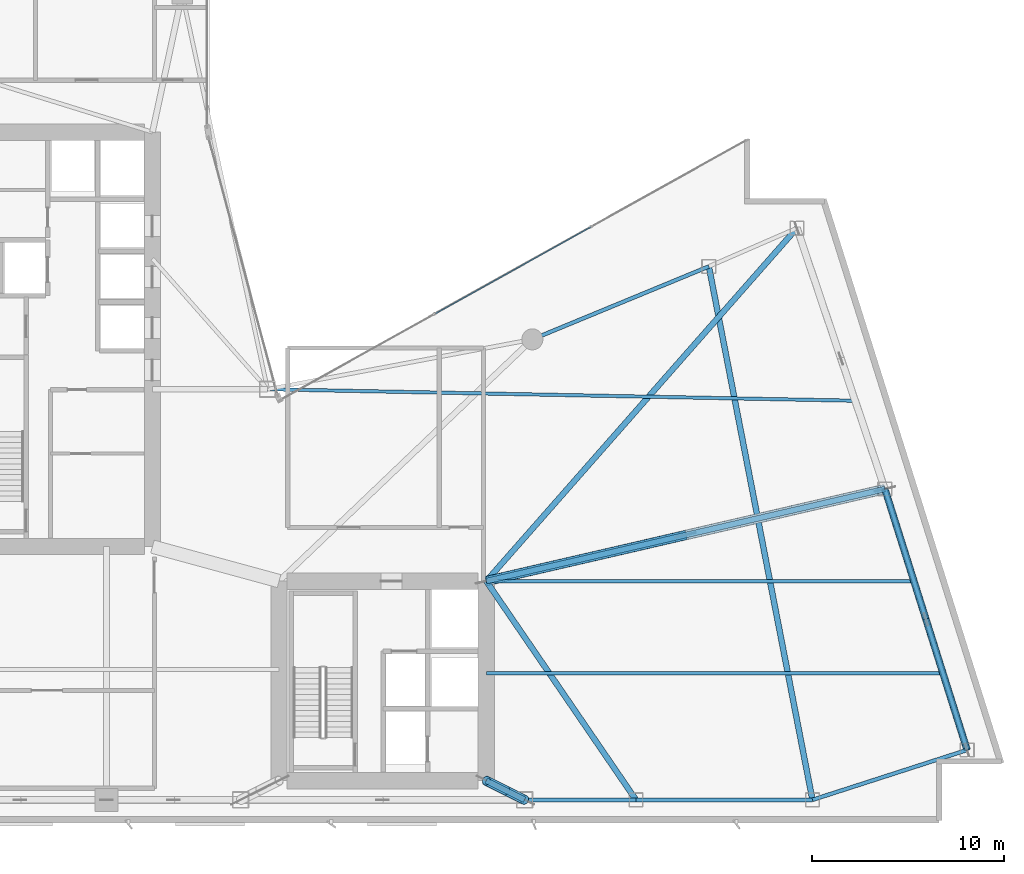
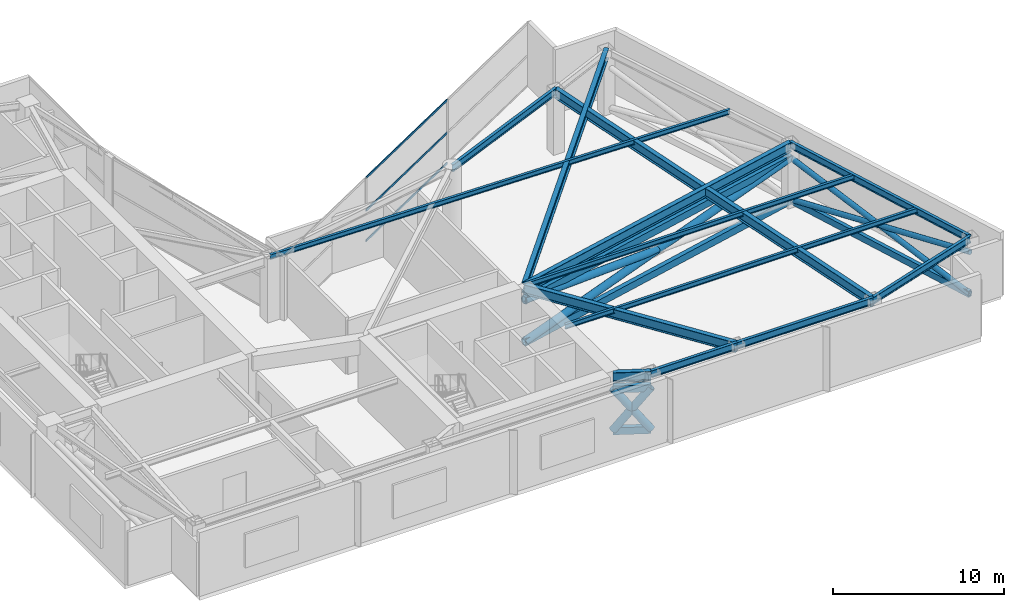
# One storey, part 5 of 19: 16 members, 13 beams, 1 element without a shape of its own.
"""IFC4 building model written with IfcOpenShell, lengths in metres."""

from ifc_helpers import new_model, si_unit, direction, frame, origin, origin_2d, place, context, subcontext, project, spatial, hollow_rectangle, hollow_circle, i_section, extrude, material, layer, layer_set, material_profile, profile_set, type_object, element, aggregate, save


model = new_model("IFC4")

# Units and contexts
model_context = context("Model", 3, precision=1e-05, world=origin(), true_north=direction((0.0, 1.0)))
body_context = subcontext(model_context, "Body", "Model", "MODEL_VIEW")
ifc_project = project(units=[si_unit("LENGTHUNIT", "METRE"), si_unit("AREAUNIT", "SQUARE_METRE"), si_unit("VOLUMEUNIT", "CUBIC_METRE"), si_unit("PLANEANGLEUNIT", "RADIAN"), si_unit("MASSUNIT", "GRAM", prefix="KILO")], contexts=[model_context])

# Site, building, storey
site_placement = place(None, origin())
site = spatial("IfcSite", under=ifc_project, at=site_placement, CompositionType="ELEMENT")
building_placement = place(site_placement, origin())
building = spatial("IfcBuilding", under=site, at=building_placement, Name="Calvorn Quay Hotel", CompositionType="ELEMENT")
storey_placement = place(building_placement, frame((0.0, 0.0, 139.199951171875)))
storey = spatial("IfcBuildingStorey", under=building, at=storey_placement, Name="L34", CompositionType="ELEMENT", Elevation=139.199951171875)

# Beams
ifc_material_1 = material(Name="Steel Q390GJC", Category="steel")
ifc_material_profile_1 = material_profile(ifc_material_1, i_section(OverallWidth=0.300048828125, OverallDepth=0.699951171875, WebThickness=0.012939453125, FlangeThickness=0.02392578125, FilletRadius=0.02392578125, at=origin_2d()), Name="HN700x300x13x24")
ifc_profile_set_1 = profile_set([ifc_material_profile_1], Name="Steel Q390GJC")
beam_type_1 = type_object("IfcBeamType", Name="BM-GIRD-MAIN", PredefinedType="BEAM", material=ifc_profile_set_1)
beam_1_placement = place(storey_placement, frame((34.39990234375, 3.60009765625, 4.18994140625), z_axis=(-0.894427191, 0.4472135955, 0.0), x_axis=(-0.4472135955, -0.894427191, 0.0)))
element("IfcBeam", 1, at=beam_1_placement, inside=storey, type_object=beam_type_1, Name="Beam BG-L34-S3", PredefinedType="BEAM", context=body_context, shape_type="SweptSolid", body=[
    extrude(i_section(OverallWidth=0.300048828125, OverallDepth=0.699951171875, WebThickness=0.012939453125, FlangeThickness=0.02392578125, FilletRadius=0.02392578125, at=origin_2d()), origin(), (0.0, 0.0, 1.0), 2.236083984375),
])
beam_2_placement = place(storey_placement, frame((32.39990234375, 15.0, 4.18994140625), z_axis=(0.974334045812, 0.225107012711, 0.0), x_axis=(-0.225107012711, 0.974334045812, 0.0)))
element("IfcBeam", 2, at=beam_2_placement, inside=storey, type_object=beam_type_1, Name="Beam BG-L34-E2", PredefinedType="BEAM", context=body_context, shape_type="SweptSolid", body=[
    extrude(i_section(OverallWidth=0.300048828125, OverallDepth=0.699951171875, WebThickness=0.012939453125, FlangeThickness=0.02392578125, FilletRadius=0.02392578125, at=origin_2d()), origin(), (0.0, 0.0, 1.0), 21.323486328125),
])
beam_3_placement = place(storey_placement, frame((32.39990234375, 15.0, 4.18994140625), z_axis=(0.660610604248, 0.750728732336, 0.0), x_axis=(-0.750728732336, 0.660610604248, 0.0)))
element("IfcBeam", 3, at=beam_3_placement, inside=storey, type_object=beam_type_1, Name="Beam BG-L34-E3", PredefinedType="BEAM", context=body_context, shape_type="SweptSolid", body=[
    extrude(i_section(OverallWidth=0.300048828125, OverallDepth=0.699951171875, WebThickness=0.012939453125, FlangeThickness=0.02392578125, FilletRadius=0.02392578125, at=origin_2d()), origin(), (0.0, 0.0, 1.0), 24.50927734375),
])
beam_4_placement = place(storey_placement, frame((49.39990234375, 3.60009765625, 4.18994140625), z_axis=(-0.190678596862, 0.981652521363, 0.0), x_axis=(-0.981652521363, -0.190678596862, 0.0)))
element("IfcBeam", 4, at=beam_4_placement, inside=storey, type_object=beam_type_1, Name="Beam BG-L34-E5", PredefinedType="BEAM", context=body_context, shape_type="SweptSolid", body=[
    extrude(i_section(OverallWidth=0.300048828125, OverallDepth=0.699951171875, WebThickness=0.012939453125, FlangeThickness=0.02392578125, FilletRadius=0.02392578125, at=origin_2d()), origin(), (0.0, 0.0, 1.0), 28.3193359375),
])
beam_5_placement = place(storey_placement, frame((40.199951171875, 3.60009765625, 4.18994140625), z_axis=(-0.564689618177, 0.825303359452, 0.0), x_axis=(-0.825303359452, -0.564689618177, 0.0)))
element("IfcBeam", 5, at=beam_5_placement, inside=storey, type_object=beam_type_1, Name="Beam BG-L34-E6", PredefinedType="BEAM", context=body_context, shape_type="SweptSolid", body=[
    extrude(i_section(OverallWidth=0.300048828125, OverallDepth=0.699951171875, WebThickness=0.012939453125, FlangeThickness=0.02392578125, FilletRadius=0.02392578125, at=origin_2d()), origin(), (0.0, 0.0, 1.0), 13.81298828125),
])
ifc_material_2 = material(Name="Steel Q355B", Category="steel")
ifc_material_profile_2 = material_profile(ifc_material_2, i_section(OverallWidth=0.175048828125, OverallDepth=0.35009765625, WebThickness=0.007080078125, FlangeThickness=0.010986328125, FilletRadius=0.013916015625, at=origin_2d()), Name="HN350x175x7x11")
ifc_profile_set_2 = profile_set([ifc_material_profile_2], Name="Steel Q355B")
beam_type_2 = type_object("IfcBeamType", Name="BM-JOIST-SEC", PredefinedType="JOIST", material=ifc_profile_set_2)
beam_6_placement = place(storey_placement, frame((32.39990234375, 10.199951171875, 4.364990234375), z_axis=(1.0, 0.0, 0.0), x_axis=(0.0, 1.0, 0.0)))
element("IfcBeam", 6, at=beam_6_placement, inside=storey, type_object=beam_type_2, Name="Beam BJ-L34-E1", PredefinedType="JOIST", context=body_context, shape_type="SweptSolid", body=[
    extrude(i_section(OverallWidth=0.175048828125, OverallDepth=0.35009765625, WebThickness=0.007080078125, FlangeThickness=0.010986328125, FilletRadius=0.013916015625, at=origin_2d()), origin(), (0.0, 0.0, 1.0), 23.801025390625),
])
beam_7_placement = place(storey_placement, frame((32.39990234375, 15.0, 4.364990234375), z_axis=(1.0, 0.0, 0.0), x_axis=(0.0, 1.0, 0.0)))
element("IfcBeam", 7, at=beam_7_placement, inside=storey, type_object=beam_type_2, Name="Beam BJ-L34-E2", PredefinedType="JOIST", context=body_context, shape_type="SweptSolid", body=[
    extrude(i_section(OverallWidth=0.175048828125, OverallDepth=0.35009765625, WebThickness=0.007080078125, FlangeThickness=0.010986328125, FilletRadius=0.013916015625, at=origin_2d()), origin(), (0.0, 0.0, 1.0), 22.2880859375),
])
beam_8_placement = place(storey_placement, frame((21.0, 25.0, 4.364990234375), z_axis=(0.999809345134, -0.019526222968, 0.0), x_axis=(0.019526222968, 0.999809345134, 0.0)))
element("IfcBeam", 8, at=beam_8_placement, inside=storey, type_object=beam_type_2, Name="Beam BJ-L34-E3", PredefinedType="JOIST", context=body_context, shape_type="SweptSolid", body=[
    extrude(i_section(OverallWidth=0.175048828125, OverallDepth=0.35009765625, WebThickness=0.007080078125, FlangeThickness=0.010986328125, FilletRadius=0.013916015625, at=origin_2d()), origin(), (0.0, 0.0, 1.0), 30.73291015625),
])
ifc_material_3 = material(Name="Steel Q355B", Category="steel")
ifc_material_profile_3 = material_profile(ifc_material_3, i_section(OverallWidth=0.199951171875, OverallDepth=0.5, WebThickness=0.010009765625, FlangeThickness=0.01611328125, FilletRadius=0.01611328125, at=origin_2d()), Name="HN500x200x10x16")
ifc_profile_set_3 = profile_set([ifc_material_profile_3], Name="Steel Q355B")
beam_type_3 = type_object("IfcBeamType", Name="BM-SPANDREL-Z1", PredefinedType="SPANDREL", material=ifc_profile_set_3)
beam_9_placement = place(storey_placement, frame((34.39990234375, 3.60009765625, 4.2900390625), z_axis=(1.0, 0.0, 0.0), x_axis=(0.0, 1.0, 0.0)))
element("IfcBeam", 9, at=beam_9_placement, inside=storey, type_object=beam_type_3, Name="Beam BSP-L34-S4", PredefinedType="SPANDREL", context=body_context, shape_type="SweptSolid", body=[
    extrude(i_section(OverallWidth=0.199951171875, OverallDepth=0.5, WebThickness=0.010009765625, FlangeThickness=0.01611328125, FilletRadius=0.01611328125, at=origin_2d()), origin(), (0.0, 0.0, 1.0), 5.800048828125),
])
beam_10_placement = place(storey_placement, frame((40.199951171875, 3.60009765625, 4.2900390625), z_axis=(1.0, 0.0, 0.0), x_axis=(0.0, 1.0, 0.0)))
element("IfcBeam", 10, at=beam_10_placement, inside=storey, type_object=beam_type_3, Name="Beam BSP-L34-S5", PredefinedType="SPANDREL", context=body_context, shape_type="SweptSolid", body=[
    extrude(i_section(OverallWidth=0.199951171875, OverallDepth=0.5, WebThickness=0.010009765625, FlangeThickness=0.01611328125, FilletRadius=0.01611328125, at=origin_2d()), origin(), (0.0, 0.0, 1.0), 9.199951171875),
])
beam_11_placement = place(storey_placement, frame((49.39990234375, 3.60009765625, 4.2900390625), z_axis=(0.951725188386, 0.306951406237, 0.0), x_axis=(-0.306951406237, 0.951725188386, 0.0)))
element("IfcBeam", 11, at=beam_11_placement, inside=storey, type_object=beam_type_3, Name="Beam BSP-L34-S6", PredefinedType="SPANDREL", context=body_context, shape_type="SweptSolid", body=[
    extrude(i_section(OverallWidth=0.199951171875, OverallDepth=0.5, WebThickness=0.010009765625, FlangeThickness=0.01611328125, FilletRadius=0.01611328125, at=origin_2d()), origin(), (0.0, 0.0, 1.0), 8.469970703125),
])
beam_12_placement = place(storey_placement, frame((57.4609375, 6.199951171875, 4.2900390625), z_axis=(-0.300502802767, 0.953780931624, 0.0), x_axis=(-0.953780931624, -0.300502802767, 0.0)))
element("IfcBeam", 12, at=beam_12_placement, inside=storey, type_object=beam_type_3, Name="Beam BSP-L34-E1", PredefinedType="SPANDREL", context=body_context, shape_type="SweptSolid", body=[
    extrude(i_section(OverallWidth=0.199951171875, OverallDepth=0.5, WebThickness=0.010009765625, FlangeThickness=0.01611328125, FilletRadius=0.01611328125, at=origin_2d()), origin(), (0.0, 0.0, 1.0), 14.259033203125),
])
beam_13_placement = place(storey_placement, frame((44.0, 31.39990234375, 4.2900390625), z_axis=(-0.92426763497, -0.381745123017, 0.0), x_axis=(0.381745123017, -0.92426763497, 0.0)))
element("IfcBeam", 13, at=beam_13_placement, inside=storey, type_object=beam_type_3, Name="Beam BSP-L34-E4", PredefinedType="SPANDREL", context=body_context, shape_type="SweptSolid", body=[
    extrude(i_section(OverallWidth=0.199951171875, OverallDepth=0.5, WebThickness=0.010009765625, FlangeThickness=0.01611328125, FilletRadius=0.01611328125, at=origin_2d()), origin(), (0.0, 0.0, 1.0), 9.953857421875),
])

# Curtain wall, members
ifc_material_4 = material(Name="Pale Anodised Aluminium and Low-E Glass", Category="aluminium")
ifc_layer = layer(ifc_material_4, 0.219970703125)
ifc_layer_set = layer_set([ifc_layer], Name="CW-SYS-Z2")
curtain_wall_type = type_object("IfcCurtainWallType", Name="CW-SYS-Z2", PredefinedType="NOTDEFINED", material=ifc_layer_set)
curtain_wall_placement = place(storey_placement, origin())
curtain_wall = element("IfcCurtainWall", 14, at=curtain_wall_placement, inside=storey, type_object=curtain_wall_type, Name="Inner Court Curtain Wall L34-NE1", PredefinedType="NOTDEFINED")
ifc_material_5 = material(Name="Pale Anodised Aluminium 6063-T6", Category="aluminium")
ifc_material_profile_4 = material_profile(ifc_material_5, hollow_rectangle(XDim=0.06005859375, YDim=0.14990234375, WallThickness=0.00341796875, at=origin_2d()), Name="ALU-T150x60x3.5")
ifc_profile_set_4 = profile_set([ifc_material_profile_4], Name="Pale Anodised Aluminium 6063-T6")
member_type_1 = type_object("IfcMemberType", Name="CW-SYS-Z2-TRN", PredefinedType="USERDEFINED", material=ifc_profile_set_4)
member_1_placement = place(storey_placement, frame((37.840576171875, 33.4521484375, 0.030029296875), z_axis=(-0.873483012802, -0.486854625474, 0.0), x_axis=(0.486854625474, -0.873483012802, 0.0)))
member_1 = element("IfcMember", 15, at=member_1_placement, type_object=member_type_1, Name="CW-L34-NE1 transom 2.1", ObjectType="TRANSOM", PredefinedType="USERDEFINED", context=body_context, shape_type="SweptSolid", body=[
    extrude(hollow_rectangle(XDim=0.06005859375, YDim=0.14990234375, WallThickness=0.00341796875, at=origin_2d()), origin(), (0.0, 0.0, 1.0), 9.25146484375),
])
member_2_placement = place(storey_placement, frame((37.840576171875, 33.4521484375, 2.199951171875), z_axis=(-0.873483012802, -0.486854625474, 0.0), x_axis=(0.486854625474, -0.873483012802, 0.0)))
member_2 = element("IfcMember", 16, at=member_2_placement, type_object=member_type_1, Name="CW-L34-NE1 transom 2.2", ObjectType="TRANSOM", PredefinedType="USERDEFINED", context=body_context, shape_type="SweptSolid", body=[
    extrude(hollow_rectangle(XDim=0.06005859375, YDim=0.14990234375, WallThickness=0.00341796875, at=origin_2d()), origin(), (0.0, 0.0, 1.0), 9.25146484375),
])
member_3_placement = place(storey_placement, frame((37.840576171875, 33.4521484375, 4.530029296875), z_axis=(-0.873483012802, -0.486854625474, 0.0), x_axis=(0.486854625474, -0.873483012802, 0.0)))
member_3 = element("IfcMember", 17, at=member_3_placement, type_object=member_type_1, Name="CW-L34-NE1 transom 2.3", ObjectType="TRANSOM", PredefinedType="USERDEFINED", context=body_context, shape_type="SweptSolid", body=[
    extrude(hollow_rectangle(XDim=0.06005859375, YDim=0.14990234375, WallThickness=0.00341796875, at=origin_2d()), origin(), (0.0, 0.0, 1.0), 9.25146484375),
])
aggregate(curtain_wall, [member_1, member_2, member_3])

# Members
ifc_material_6 = material(Name="Steel Q390GJC", Category="steel")
ifc_material_profile_5 = material_profile(ifc_material_6, hollow_rectangle(XDim=0.25, YDim=0.449951171875, WallThickness=0.01611328125, at=origin_2d()), Name="RHS450x250x16")
ifc_profile_set_5 = profile_set([ifc_material_profile_5], Name="Steel Q390GJC")
member_type_2 = type_object("IfcMemberType", Name="MEM-BELT-CHORD", PredefinedType="CHORD", material=ifc_profile_set_5)
member_4_placement = place(storey_placement, frame((57.4609375, 6.199951171875, 0.35009765625), z_axis=(-0.300502802767, 0.953780931624, 0.0), x_axis=(-0.953780931624, -0.300502802767, 0.0)))
element("IfcMember", 18, at=member_4_placement, inside=storey, type_object=member_type_2, Name="Belt Truss Chord L34-BE1", PredefinedType="CHORD", context=body_context, shape_type="SweptSolid", body=[
    extrude(hollow_rectangle(XDim=0.25, YDim=0.449951171875, WallThickness=0.01611328125, at=origin_2d()), origin(), (0.0, 0.0, 1.0), 14.259033203125),
])
ifc_material_7 = material(Name="Steel Q390GJC", Category="steel")
ifc_material_profile_6 = material_profile(ifc_material_7, hollow_circle(Radius=0.177978515625, WallThickness=0.013916015625, at=origin_2d()), Name="CHS356x14")
ifc_profile_set_6 = profile_set([ifc_material_profile_6], Name="Steel Q390GJC")
member_type_3 = type_object("IfcMemberType", Name="MEM-BELT-DIAG", PredefinedType="BRACE", material=ifc_profile_set_6)
member_5_placement = place(storey_placement, frame((57.4609375, 6.199951171875, 0.35009765625), z_axis=(-0.294106481593, 0.93347932674, 0.205226031569), x_axis=(-0.953780931624, -0.300502802767, 0.0)))
element("IfcMember", 19, at=member_5_placement, inside=storey, type_object=member_type_3, Name="Belt Truss Continuous Brace L34-BE1A", PredefinedType="BRACE", context=body_context, shape_type="SweptSolid", body=[
    extrude(hollow_circle(Radius=0.177978515625, WallThickness=0.013916015625, at=origin_2d()), origin(), (0.0, 0.0, 1.0), 14.5693359375),
])
member_6_placement = place(storey_placement, frame((57.4609375, 6.199951171875, 3.340087890625), z_axis=(-0.294028928651, 0.933499116575, -0.205247139981), x_axis=(-0.953805465644, -0.300424921915, 0.0)))
element("IfcMember", 20, at=member_6_placement, inside=storey, type_object=member_type_3, Name="Belt Truss Split Brace B1 L34-BE1", PredefinedType="BRACE", context=body_context, shape_type="SweptSolid", body=[
    extrude(hollow_circle(Radius=0.177978515625, WallThickness=0.013916015625, at=origin_2d()), origin(), (0.0, 0.0, 1.0), 7.284423828125),
])
member_7_placement = place(storey_placement, frame((55.319091796875, 13.0, 1.844970703125), z_axis=(-0.294184029232, 0.933459531349, -0.205204922646), x_axis=(-0.953756392507, -0.300580677608, 0.0)))
element("IfcMember", 21, at=member_7_placement, inside=storey, type_object=member_type_3, Name="Belt Truss Split Brace B2 L34-BE1", PredefinedType="BRACE", context=body_context, shape_type="SweptSolid", body=[
    extrude(hollow_circle(Radius=0.177978515625, WallThickness=0.013916015625, at=origin_2d()), origin(), (0.0, 0.0, 1.0), 7.28466796875),
])
ifc_material_8 = material(Name="Steel Q390GJC", Category="steel")
ifc_material_profile_7 = material_profile(ifc_material_8, hollow_rectangle(XDim=0.300048828125, YDim=0.5, WallThickness=0.02001953125, at=origin_2d()), Name="RHS500x300x20")
ifc_profile_set_7 = profile_set([ifc_material_profile_7], Name="Steel Q390GJC")
member_type_4 = type_object("IfcMemberType", Name="MEM-OUTRIGGER-CHORD", PredefinedType="CHORD", material=ifc_profile_set_7)
for number, where, z_axis, x_axis, name in (
    (22, (32.39990234375, 4.60009765625, 3.340087890625), (0.894427191, -0.4472135955, 0.0), (0.4472135955, 0.894427191, 0.0), "Outrigger Top Chord L34-OE2"),
    (23, (32.39990234375, 4.60009765625, 0.35009765625), (0.894427191, -0.4472135955, 0.0), (0.4472135955, 0.894427191, 0.0), "Outrigger Bottom Chord L34-OE2"),
):
    element("IfcMember", number, at=place(storey_placement, frame(where, z_axis=z_axis, x_axis=x_axis)), inside=storey, type_object=member_type_4, Name=name, PredefinedType="CHORD", context=body_context, shape_type="SweptSolid", body=[
        extrude(hollow_rectangle(XDim=0.300048828125, YDim=0.5, WallThickness=0.02001953125, at=origin_2d()), origin(), (0.0, 0.0, 1.0), 2.236083984375),
    ])
for number, where, z_axis, x_axis, name in (
    (24, (32.39990234375, 15.0, 3.340087890625), (0.974334045812, 0.225107012711, 0.0), (-0.225107012711, 0.974334045812, 0.0), "Outrigger Top Chord L34-OE3"),
    (25, (32.39990234375, 15.0, 0.35009765625), (0.974334045812, 0.225107012711, 0.0), (-0.225107012711, 0.974334045812, 0.0), "Outrigger Bottom Chord L34-OE3"),
):
    element("IfcMember", number, at=place(storey_placement, frame(where, z_axis=z_axis, x_axis=x_axis)), inside=storey, type_object=member_type_4, Name=name, PredefinedType="CHORD", context=body_context, shape_type="SweptSolid", body=[
        extrude(hollow_rectangle(XDim=0.300048828125, YDim=0.5, WallThickness=0.02001953125, at=origin_2d()), origin(), (0.0, 0.0, 1.0), 21.323486328125),
    ])
ifc_material_9 = material(Name="Steel Q390GJC", Category="steel")
ifc_material_profile_8 = material_profile(ifc_material_9, hollow_circle(Radius=0.25, WallThickness=0.02001953125, at=origin_2d()), Name="CHS500x20")
ifc_profile_set_8 = profile_set([ifc_material_profile_8], Name="Steel Q390GJC")
member_type_5 = type_object("IfcMemberType", Name="MEM-OUTRIGGER-DIAG1", PredefinedType="BRACE", material=ifc_profile_set_8)
member_8_placement = place(storey_placement, frame((32.39990234375, 4.60009765625, 0.35009765625), z_axis=(0.535670784695, -0.267835392348, 0.800825207539), x_axis=(0.4472135955, 0.894427191, 0.0)))
element("IfcMember", 26, at=member_8_placement, inside=storey, type_object=member_type_5, Name="Outrigger Continuous Diagonal L34-OE2", PredefinedType="BRACE", context=body_context, shape_type="SweptSolid", body=[
    extrude(hollow_circle(Radius=0.25, WallThickness=0.02001953125, at=origin_2d()), origin(), (0.0, 0.0, 1.0), 3.733642578125),
])
member_9_placement = place(storey_placement, frame((32.39990234375, 4.60009765625, 3.340087890625), z_axis=(0.535642735053, -0.267821367526, -0.800848659537), x_axis=(0.4472135955, 0.894427191, 0.0)))
element("IfcMember", 27, at=member_9_placement, inside=storey, type_object=member_type_5, Name="Outrigger Split Diagonal A L34-OE2", PredefinedType="BRACE", context=body_context, shape_type="SweptSolid", body=[
    extrude(hollow_circle(Radius=0.25, WallThickness=0.02001953125, at=origin_2d()), origin(), (0.0, 0.0, 1.0), 1.866943359375),
])
member_10_placement = place(storey_placement, frame((33.39990234375, 4.10009765625, 1.844970703125), z_axis=(0.535698836454, -0.267849418227, -0.800801751857), x_axis=(0.4472135955, 0.894427191, 0.0)))
element("IfcMember", 28, at=member_10_placement, inside=storey, type_object=member_type_5, Name="Outrigger Split Diagonal B L34-OE2", PredefinedType="BRACE", context=body_context, shape_type="SweptSolid", body=[
    extrude(hollow_circle(Radius=0.25, WallThickness=0.02001953125, at=origin_2d()), origin(), (0.0, 0.0, 1.0), 1.86669921875),
])
member_11_placement = place(storey_placement, frame((32.39990234375, 15.0, 0.35009765625), z_axis=(0.964894374764, 0.222926101391, 0.138862517864), x_axis=(-0.225107012711, 0.974334045812, 0.0)))
element("IfcMember", 29, at=member_11_placement, inside=storey, type_object=member_type_5, Name="Outrigger Continuous Diagonal L34-OE3", PredefinedType="BRACE", context=body_context, shape_type="SweptSolid", body=[
    extrude(hollow_circle(Radius=0.25, WallThickness=0.02001953125, at=origin_2d()), origin(), (0.0, 0.0, 1.0), 21.531982421875),
])
member_12_placement = place(storey_placement, frame((32.39990234375, 15.0, 3.340087890625), z_axis=(0.964896076418, 0.222912536573, -0.138872469377), x_axis=(-0.22509363237, 0.974337137066, 0.0)))
element("IfcMember", 30, at=member_12_placement, inside=storey, type_object=member_type_5, Name="Outrigger Split Diagonal A L34-OE3", PredefinedType="BRACE", context=body_context, shape_type="SweptSolid", body=[
    extrude(hollow_circle(Radius=0.25, WallThickness=0.02001953125, at=origin_2d()), origin(), (0.0, 0.0, 1.0), 10.76611328125),
])

save(model, "model.ifc")
